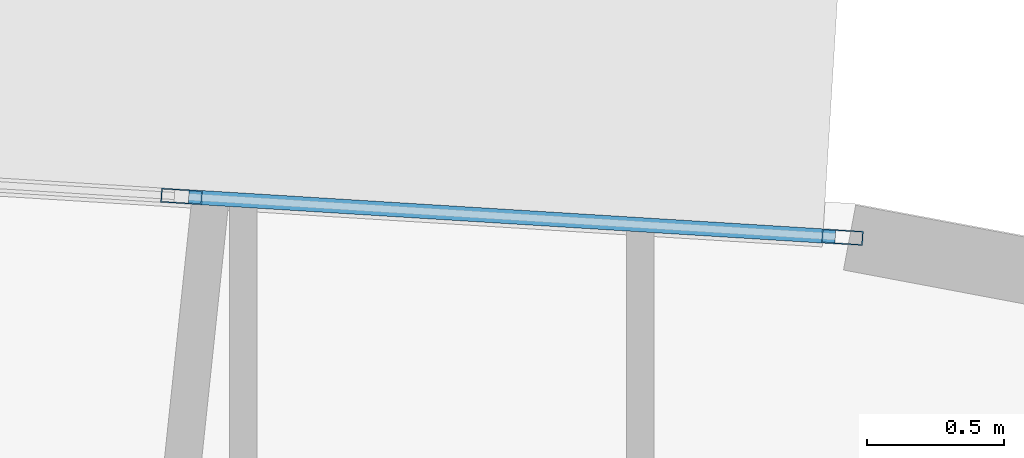
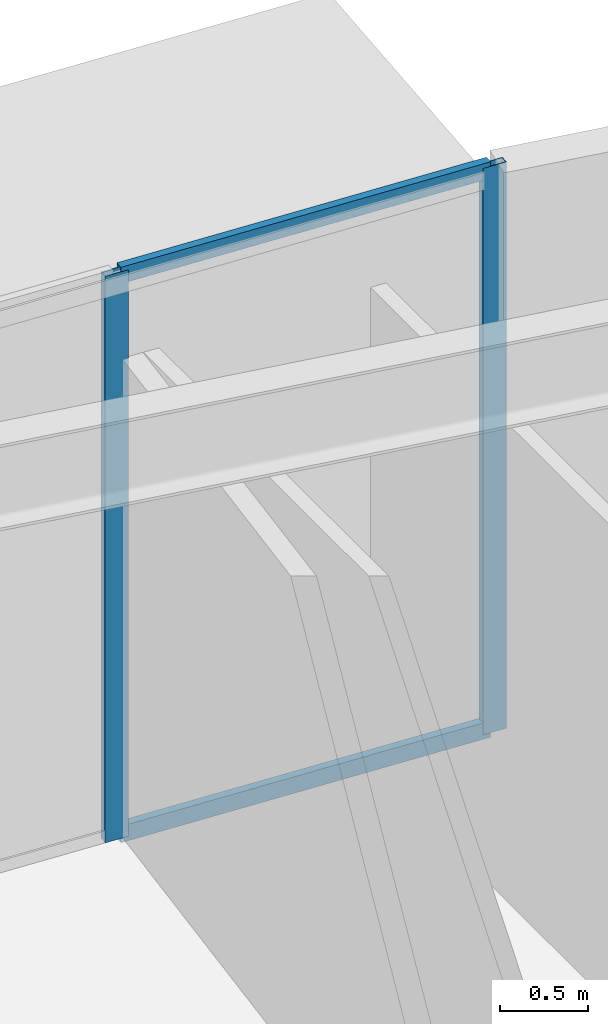
# One storey, part 6 of 21: 4 members, 1 element without a shape of its own.
"""IFC4 building model written with IfcOpenShell, lengths in metres."""

import ifcopenshell
import ifcopenshell.guid

model = None  # the IFC model being written
_history = None  # IfcOwnerHistory: only IFC2X3 demands one
_inside = {}  # id of a spatial element -> (the spatial element, [elements in it])
_under = {}  # id of a project, library or spatial element -> (it, [spatial elements below it])
_declared = {}  # id of a project -> (the project, [libraries it declares])
_typed = {}  # id of a type object -> (the type object, [elements of that type])
_made_of = {}  # id of a material, layer set ... -> (it, [elements and type objects made of it])


def new_model(schema):
    """Start an empty IFC model of exactly this schema.

    Asked for "IFC4X3", IfcOpenShell would pick the latest addendum, in which some entities
    have other attributes; the version numbers below select the first issue.
    IFC2X3 requires an IfcOwnerHistory on every rooted entity: one is made here for all.
    """
    global model, _history
    if schema == "IFC4X3":
        model = ifcopenshell.file(schema_version=(4, 3, 0, 0))
    else:
        model = ifcopenshell.file(schema=schema)
    _inside.clear()
    _under.clear()
    _declared.clear()
    _typed.clear()
    _made_of.clear()
    _history = None
    if model.schema == "IFC2X3":
        org = make("IfcOrganization", Name="unknown")
        user = make(
            "IfcPersonAndOrganization",
            ThePerson=make("IfcPerson", FamilyName="unknown"),
            TheOrganization=org,
        )
        app = make(
            "IfcApplication",
            ApplicationDeveloper=org,
            Version="unknown",
            ApplicationFullName="unknown",
            ApplicationIdentifier="unknown",
        )
        _history = make(
            "IfcOwnerHistory",
            OwningUser=user,
            OwningApplication=app,
            ChangeAction="ADDED",
            CreationDate=0,
        )
    return model


def make(cls, **values):
    """One entity of the class cls with the attributes given. An attribute that is None is left unset."""
    return model.create_entity(
        cls, **{name: value for name, value in values.items() if value is not None}
    )


def rooted(cls, **values):
    """An entity with a GlobalId (a new one), such as an element, a storey or a relation."""
    return make(cls, GlobalId=ifcopenshell.guid.new(), OwnerHistory=_history, **values)


def si_unit(unit_type, name, prefix=None):
    """IfcSIUnit, for example si_unit("LENGTHUNIT", "METRE", prefix="MILLI")."""
    return make("IfcSIUnit", UnitType=unit_type, Prefix=prefix, Name=name)


def assignment(units):
    """IfcUnitAssignment: the units of a project."""
    return None if units is None else make("IfcUnitAssignment", Units=units)


def point(xyz):
    """IfcCartesianPoint."""
    return None if xyz is None else make("IfcCartesianPoint", Coordinates=xyz)


def direction(xyz):
    """IfcDirection."""
    return None if xyz is None else make("IfcDirection", DirectionRatios=xyz)


def frame(location, z_axis=None, x_axis=None):
    """IfcAxis2Placement3D, a coordinate frame: its origin and axes. An axis left out is left unset."""
    return make(
        "IfcAxis2Placement3D",
        Location=point(location),
        Axis=direction(z_axis),
        RefDirection=direction(x_axis),
    )


def frame_2d(location, x_axis=None):
    """IfcAxis2Placement2D, a coordinate frame in the plane: its origin and x axis."""
    return make(
        "IfcAxis2Placement2D", Location=point(location), RefDirection=direction(x_axis)
    )


def origin():
    """The frame at (0, 0, 0) with its axes left unset."""
    return frame((0.0, 0.0, 0.0))


def origin_2d():
    """The frame at (0, 0) in the plane with its x axis left unset."""
    return frame_2d((0.0, 0.0))


def place(relative_to, where):
    """IfcLocalPlacement: puts the frame where relative to a parent placement (None: the world)."""
    return make(
        "IfcLocalPlacement", PlacementRelTo=relative_to, RelativePlacement=where
    )


def context(
    kind, dimensions, precision=None, world=None, true_north=None, identifier=None
):
    """IfcGeometricRepresentationContext, for example the 3D "Model" context."""
    return make(
        "IfcGeometricRepresentationContext",
        ContextIdentifier=identifier,
        ContextType=kind,
        CoordinateSpaceDimension=dimensions,
        Precision=precision,
        WorldCoordinateSystem=world,
        TrueNorth=true_north,
    )


def subcontext(parent, identifier, kind, view, scale=None):
    """IfcGeometricRepresentationSubContext, for example "Body" below "Model"."""
    return make(
        "IfcGeometricRepresentationSubContext",
        ContextIdentifier=identifier,
        ContextType=kind,
        ParentContext=parent,
        TargetScale=scale,
        TargetView=view,
    )


def project(units=None, contexts=None):
    """IfcProject with its units and contexts."""
    return rooted(
        "IfcProject",
        Name="project",
        RepresentationContexts=contexts,
        UnitsInContext=assignment(units),
    )


def spatial(cls, under=None, at=None, **own):
    """A site, building, storey or space (cls), placed at a placement, below another one or the project."""
    s = rooted(cls, ObjectPlacement=at, **own)
    if under is not None:
        _under.setdefault(under.id(), (under, []))[1].append(s)
    return s


def profile(cls, at=None, kind="AREA", **sizes):
    """A parametric profile (cls). Its sizes go by their IFC names, for example OverallWidth=200.0."""
    return make(cls, ProfileType=kind, Position=at, **sizes)


def hollow_rectangle(**sizes):
    """IfcRectangleHollowProfileDef."""
    return profile("IfcRectangleHollowProfileDef", **sizes)


def extrude(swept, where, along, depth):
    """IfcExtrudedAreaSolid: the profile swept, set in the frame where, extruded along a direction by depth."""
    return make(
        "IfcExtrudedAreaSolid",
        SweptArea=swept,
        Position=where,
        ExtrudedDirection=direction(along),
        Depth=depth,
    )


def shape(context_of_items, identifier, shape_type, items):
    """IfcShapeRepresentation: the items that make up one representation, for example the "Body"."""
    return make(
        "IfcShapeRepresentation",
        ContextOfItems=context_of_items,
        RepresentationIdentifier=identifier,
        RepresentationType=shape_type,
        Items=items,
    )


def source(mapping_origin, context_of_items, identifier, shape_type, items):
    """IfcRepresentationMap: a shape defined once, which mapped items show again and again."""
    return make(
        "IfcRepresentationMap",
        MappingOrigin=mapping_origin,
        MappedRepresentation=shape(context_of_items, identifier, shape_type, items),
    )


def transform(
    local_origin,
    x_axis=None,
    y_axis=None,
    z_axis=None,
    scale=None,
    scale2=None,
    scale3=None,
    uniform=True,
):
    """IfcCartesianTransformationOperator3D, or its non-uniform kind. x_axis, y_axis, z_axis: its Axis1, 2, 3."""
    if uniform:
        return make(
            "IfcCartesianTransformationOperator3D",
            Axis1=direction(x_axis),
            Axis2=direction(y_axis),
            LocalOrigin=point(local_origin),
            Scale=scale,
            Axis3=direction(z_axis),
        )
    return make(
        "IfcCartesianTransformationOperator3DnonUniform",
        Axis1=direction(x_axis),
        Axis2=direction(y_axis),
        LocalOrigin=point(local_origin),
        Scale=scale,
        Axis3=direction(z_axis),
        Scale2=scale2,
        Scale3=scale3,
    )


def mapped(mapping_source, mapping_target):
    """IfcMappedItem: shows the shape of a source again, moved by a transform."""
    return make(
        "IfcMappedItem", MappingSource=mapping_source, MappingTarget=mapping_target
    )


def material(Name=None, Category=None):
    """IfcMaterial."""
    return make("IfcMaterial", Name=Name, Category=Category)


def layer(
    of_material, thickness, ventilated=None, Name=None, Category=None, Priority=None
):
    """IfcMaterialLayer: one layer of a wall or slab, of a material (None: an air gap)."""
    return make(
        "IfcMaterialLayer",
        Material=of_material,
        LayerThickness=thickness,
        IsVentilated=ventilated,
        Name=Name,
        Category=Category,
        Priority=Priority,
    )


def layer_set(layers, Name=None):
    """IfcMaterialLayerSet."""
    return make("IfcMaterialLayerSet", MaterialLayers=layers, LayerSetName=Name)


def material_profile(
    of_material, cross_section, Name=None, Category=None, Priority=None
):
    """IfcMaterialProfile: a cross section and its material."""
    return make(
        "IfcMaterialProfile",
        Name=Name,
        Material=of_material,
        Profile=cross_section,
        Priority=Priority,
        Category=Category,
    )


def profile_set(profiles, Name=None, composite=None):
    """IfcMaterialProfileSet."""
    return make(
        "IfcMaterialProfileSet",
        Name=Name,
        MaterialProfiles=profiles,
        CompositeProfile=composite,
    )


def made_of(thing, what):
    """Note that an element or type object is made of a material, layer set ...; save() writes the relation."""
    if what is not None:
        _made_of.setdefault(what.id(), (what, []))[1].append(thing)
    return thing


def type_object(cls, material=None, **own):
    """A type object (cls), such as IfcWallType, which elements share."""
    return made_of(rooted(cls, **own), material)


def element(
    cls,
    number,
    at=None,
    inside=None,
    cuts=None,
    type_object=None,
    material=None,
    context=None,
    identifier="Body",
    shape_type=None,
    held_by="IfcProductDefinitionShape",
    body=None,
    shapes=None,
    **own,
):
    """One element of the class cls, such as IfcWall. Its Tag is "e" and its number.

    at: its placement. inside: the storey or other place that contains it. cuts: it is an
    opening in that element (IfcRelVoidsElement). A single representation is given by context,
    identifier, shape_type and body (its items); several are given by shapes. held_by: the class
    of the entity that holds the representations. save() writes the other relations.
    """
    e = rooted(cls, Tag="e%d" % number, ObjectPlacement=at, **own)
    if body is not None:
        shapes = [shape(context, identifier, shape_type, body)]
    if shapes is not None:
        e.Representation = make(held_by, Representations=shapes)
    if inside is not None:
        _inside.setdefault(inside.id(), (inside, []))[1].append(e)
    if cuts is not None:
        rooted(
            "IfcRelVoidsElement", RelatingBuildingElement=cuts, RelatedOpeningElement=e
        )
    if type_object is not None:
        _typed.setdefault(type_object.id(), (type_object, []))[1].append(e)
    return made_of(e, material)


def aggregate(whole, parts):
    """IfcRelAggregates: a whole, such as a stair, and the parts it consists of."""
    return rooted("IfcRelAggregates", RelatingObject=whole, RelatedObjects=parts)


def save(model, path):
    """Write the relations noted so far, then the file.

    IfcRelAggregates (storeys below a building ...), IfcRelContainedInSpatialStructure (elements
    in a storey), IfcRelDefinesByType, IfcRelAssociatesMaterial and IfcRelDeclares: one each for
    every whole, place, type object, material and project.
    """
    for whole, parts in _under.values():
        aggregate(whole, parts)
    for where, things in _inside.values():
        rooted(
            "IfcRelContainedInSpatialStructure",
            RelatedElements=things,
            RelatingStructure=where,
        )
    for kind, things in _typed.values():
        rooted("IfcRelDefinesByType", RelatedObjects=things, RelatingType=kind)
    for what, things in _made_of.values():
        rooted("IfcRelAssociatesMaterial", RelatedObjects=things, RelatingMaterial=what)
    for by, libraries in _declared.values():
        rooted("IfcRelDeclares", RelatingContext=by, RelatedDefinitions=libraries)
    model.write(path)


model = new_model("IFC4")

# Units and contexts
model_context = context("Model", 3, precision=1e-05, world=origin(), true_north=direction((0.0, 1.0)))
body_context = subcontext(model_context, "Body", "Model", "MODEL_VIEW")
ifc_project = project(units=[si_unit("LENGTHUNIT", "METRE"), si_unit("AREAUNIT", "SQUARE_METRE"), si_unit("VOLUMEUNIT", "CUBIC_METRE"), si_unit("PLANEANGLEUNIT", "RADIAN"), si_unit("MASSUNIT", "GRAM", prefix="KILO")], contexts=[model_context])

# Site, building, storey
site_placement = place(None, origin())
site = spatial("IfcSite", under=ifc_project, at=site_placement, CompositionType="ELEMENT")
building_placement = place(site_placement, origin())
building = spatial("IfcBuilding", under=site, at=building_placement, Name="Linh Dai School and Residence Tower", CompositionType="ELEMENT")
storey_placement = place(building_placement, frame((0.0, 0.0, 61.800048828125)))
storey = spatial("IfcBuildingStorey", under=building, at=storey_placement, Name="L14", CompositionType="ELEMENT", Elevation=61.800048828125)

# Curtain wall, members
ifc_material_1 = material(Name="Aluminium Anodised Curtain Wall", Category="aluminium")
ifc_layer = layer(ifc_material_1, 0.14990234375)
ifc_layer_set = layer_set([ifc_layer], Name="Aluminium Anodised Curtain Wall")
curtain_wall_type = type_object("IfcCurtainWallType", Name="CW-SYS-4", PredefinedType="USERDEFINED", material=ifc_layer_set)
curtain_wall_placement = place(storey_placement, origin())
curtain_wall = element("IfcCurtainWall", 1, at=curtain_wall_placement, inside=storey, type_object=curtain_wall_type, Name="L14 CW4 Curtain Wall 10", ObjectType="RIBBON CURTAIN WALL", PredefinedType="USERDEFINED")
ifc_material_2 = material(Name="Aluminium Alloy 6063-T6", Category="aluminium")
ifc_material_profile_1 = material_profile(ifc_material_2, hollow_rectangle(XDim=0.052001953125, YDim=0.14990234375, WallThickness=0.00390625, at=origin_2d()), Name="RHS 150x52x4")
ifc_profile_set_1 = profile_set([ifc_material_profile_1], Name="Aluminium Alloy 6063-T6")
member_type_1 = type_object("IfcMemberType", Name="CW-SYS-4-MUL", PredefinedType="MULLION", material=ifc_profile_set_1)
shared_shape_1 = source(origin(), body_context, "Body", "SweptSolid", [
    extrude(hollow_rectangle(XDim=0.052001953125, YDim=0.14990234375, WallThickness=0.00390625, at=origin_2d()), origin(), (0.0, 0.0, 1.0), 3.949951171875),
])
member_1_placement = place(storey_placement, frame((38.4326171875, 51.155029296875, 0.0), z_axis=(0.0, 0.0, 1.0), x_axis=(0.061506595367, 0.998106677027, 0.0)))
member_1 = element("IfcMember", 2, at=member_1_placement, type_object=member_type_1, Name="CW4 mullion 2", PredefinedType="MULLION", context=body_context, shape_type="MappedRepresentation", body=[
    mapped(shared_shape_1, transform((0.0, 0.0, 0.0), x_axis=(1.0, 0.0, 0.0), y_axis=(0.0, 1.0, 0.0), z_axis=(0.0, 0.0, 1.0), scale=1.0)),
])
member_2_placement = place(storey_placement, frame((40.83935546875, 51.0068359375, 0.0), z_axis=(0.0, 0.0, 1.0), x_axis=(0.061506595367, 0.998106677027, 0.0)))
member_2 = element("IfcMember", 3, at=member_2_placement, type_object=member_type_1, Name="CW4 mullion 3", PredefinedType="MULLION", context=body_context, shape_type="MappedRepresentation", body=[
    mapped(shared_shape_1, transform((0.0, 0.0, 0.0), x_axis=(1.0, 0.0, 0.0), y_axis=(0.0, 1.0, 0.0), z_axis=(0.0, 0.0, 1.0), scale=1.0)),
])
ifc_material_profile_2 = material_profile(ifc_material_2, hollow_rectangle(XDim=0.052001953125, YDim=0.114990234375, WallThickness=0.00390625, at=origin_2d()), Name="RHS 115x52x4")
ifc_profile_set_2 = profile_set([ifc_material_profile_2], Name="Aluminium Alloy 6063-T6")
member_type_2 = type_object("IfcMemberType", Name="CW-SYS-4-TRN", PredefinedType="USERDEFINED", material=ifc_profile_set_2)
shared_shape_2 = source(origin(), body_context, "Body", "SweptSolid", [
    extrude(hollow_rectangle(XDim=0.052001953125, YDim=0.114990234375, WallThickness=0.00390625, at=origin_2d()), origin(), (0.0, 0.0, 1.0), 2.359130859375),
])
member_3_placement = place(storey_placement, frame((38.458740234375, 51.153564453125, 0.02587890625), z_axis=(0.998102586233, -0.061572943371, 0.0), x_axis=(0.061572943371, 0.998102586233, 0.0)))
member_3 = element("IfcMember", 4, at=member_3_placement, type_object=member_type_2, Name="CW4 transom 2.1", ObjectType="TRANSOM", PredefinedType="USERDEFINED", context=body_context, shape_type="MappedRepresentation", body=[
    mapped(shared_shape_2, transform((0.0, 0.0, 0.0), x_axis=(1.0, 0.0, 0.0), y_axis=(0.0, 1.0, 0.0), z_axis=(0.0, 0.0, 1.0), scale=1.0)),
])
member_4_placement = place(storey_placement, frame((38.458740234375, 51.153564453125, 3.924072265625), z_axis=(0.998102586233, -0.061572943371, 0.0), x_axis=(0.061572943371, 0.998102586233, 0.0)))
member_4 = element("IfcMember", 5, at=member_4_placement, type_object=member_type_2, Name="CW4 transom 2.2", ObjectType="TRANSOM", PredefinedType="USERDEFINED", context=body_context, shape_type="MappedRepresentation", body=[
    mapped(shared_shape_2, transform((0.0, 0.0, 0.0), x_axis=(1.0, 0.0, 0.0), y_axis=(0.0, 1.0, 0.0), z_axis=(0.0, 0.0, 1.0), scale=1.0)),
])
aggregate(curtain_wall, [member_1, member_2, member_3, member_4])

save(model, "model.ifc")
